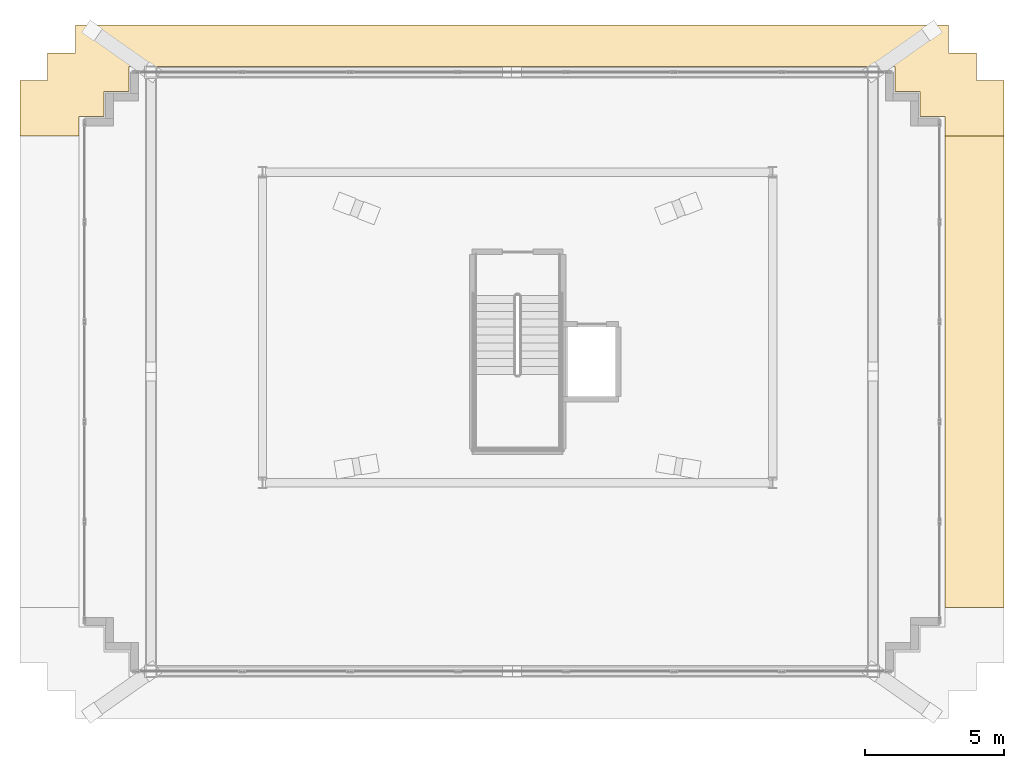
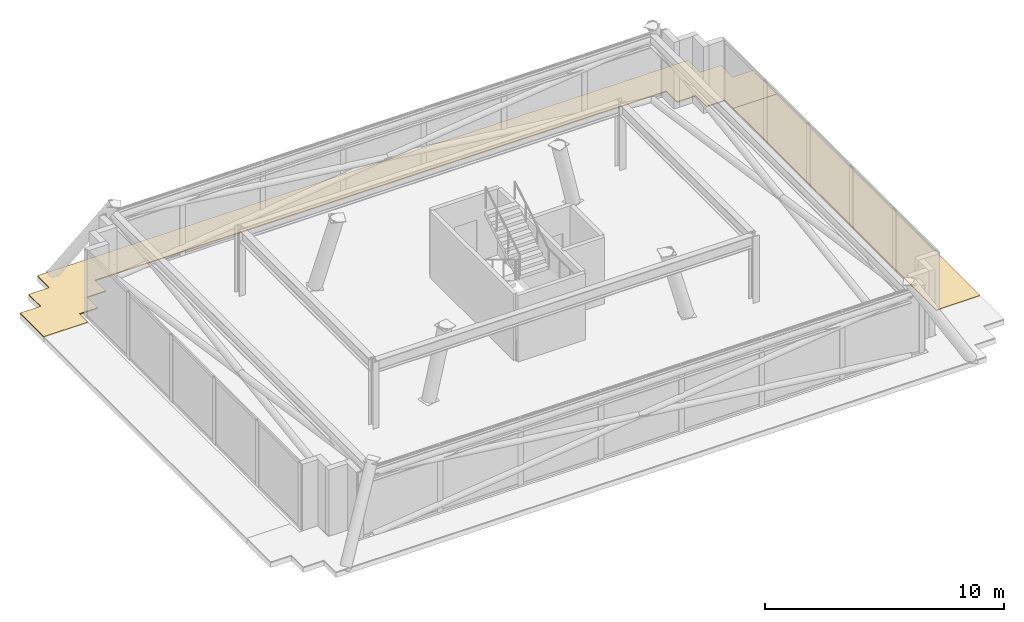
# One storey, part 15 of 15: 2 coverings.
"""IFC4 building model written with IfcOpenShell, lengths in metres."""

from ifc_helpers import new_model, si_unit, direction, frame, origin, place, context, subcontext, project, spatial, polyline, outline, extrude, material, layer, layer_set, type_object, element, save


model = new_model("IFC4")

# Units and contexts
model_context = context("Model", 3, precision=1e-05, world=origin(), true_north=direction((0.0, 1.0)))
body_context = subcontext(model_context, "Body", "Model", "MODEL_VIEW")
ifc_project = project(units=[si_unit("LENGTHUNIT", "METRE"), si_unit("AREAUNIT", "SQUARE_METRE"), si_unit("VOLUMEUNIT", "CUBIC_METRE"), si_unit("PLANEANGLEUNIT", "RADIAN"), si_unit("MASSUNIT", "GRAM", prefix="KILO")], contexts=[model_context])

# Site, building, storey
site_placement = place(None, origin())
site = spatial("IfcSite", under=ifc_project, at=site_placement, CompositionType="ELEMENT")
building_placement = place(site_placement, origin())
building = spatial("IfcBuilding", under=site, at=building_placement, Name="Qobustan Lattice House", CompositionType="ELEMENT")
storey_placement = place(building_placement, frame((0.0, 0.0, 281.60009765625)))
storey = spatial("IfcBuildingStorey", under=building, at=storey_placement, Name="L79", CompositionType="ELEMENT", Elevation=281.60009765625)

# Coverings
ifc_material = material(Name="Insulated stone-ballasted roof membrane", Category="masonry")
ifc_layer = layer(ifc_material, 0.050048828125)
ifc_layer_set = layer_set([ifc_layer], Name="Insulated stone-ballasted roof membrane")
covering_type = type_object("IfcCoveringType", Name="COV-ROOF-MEMB", PredefinedType="ROOFING", material=ifc_layer_set)
covering_1_placement = place(storey_placement, origin())
element("IfcCovering", 1, at=covering_1_placement, inside=storey, type_object=covering_type, Name="L79 crown step roof membrane 2", PredefinedType="ROOFING", context=body_context, shape_type="SweptSolid", body=[
    extrude(outline(polyline([(-17.946533203125, 6.905029296875), (-15.820068359375, 6.905029296875), (-15.820068359375, 7.60498046875), (-14.919921875, 7.60498046875), (-14.919921875, 8.5048828125), (-14.02001953125, 8.5048828125), (-14.02001953125, 9.405029296875), (13.6201171875, 9.405029296875), (13.6201171875, 8.5048828125), (14.52001953125, 8.5048828125), (14.52001953125, 7.60498046875), (15.419921875, 7.60498046875), (15.419921875, 6.905029296875), (17.54638671875, 6.905029296875), (17.54638671875, 8.903564453125), (16.54638671875, 8.903564453125), (16.54638671875, 9.903564453125), (15.54638671875, 9.903564453125), (15.54638671875, 10.903564453125), (-15.946533203125, 10.903564453125), (-15.946533203125, 9.903564453125), (-16.946533203125, 9.903564453125), (-16.946533203125, 8.903564453125), (-17.946533203125, 8.903564453125), (-17.946533203125, 6.905029296875)])), origin(), (0.0, 0.0, 1.0), 0.0498046875),
])
covering_2_placement = place(storey_placement, origin())
element("IfcCovering", 2, at=covering_2_placement, inside=storey, type_object=covering_type, Name="L79 crown step roof membrane 4", PredefinedType="ROOFING", context=body_context, shape_type="SweptSolid", body=[
    extrude(outline(polyline([(17.54638671875, 6.905029296875), (15.419921875, 6.905029296875), (15.419921875, -10.10498046875), (17.54638671875, -10.10498046875), (17.54638671875, 6.905029296875)])), origin(), (0.0, 0.0, 1.0), 0.0498046875),
])

save(model, "model.ifc")
